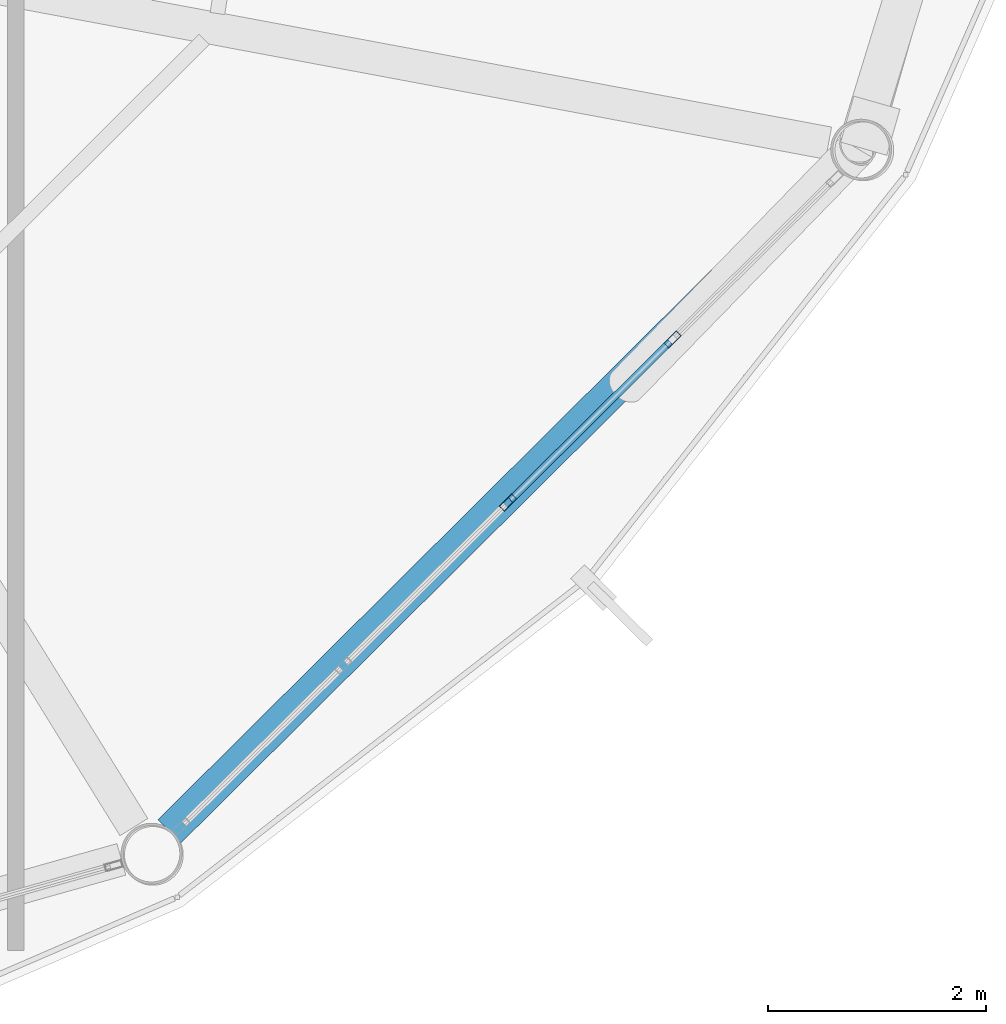
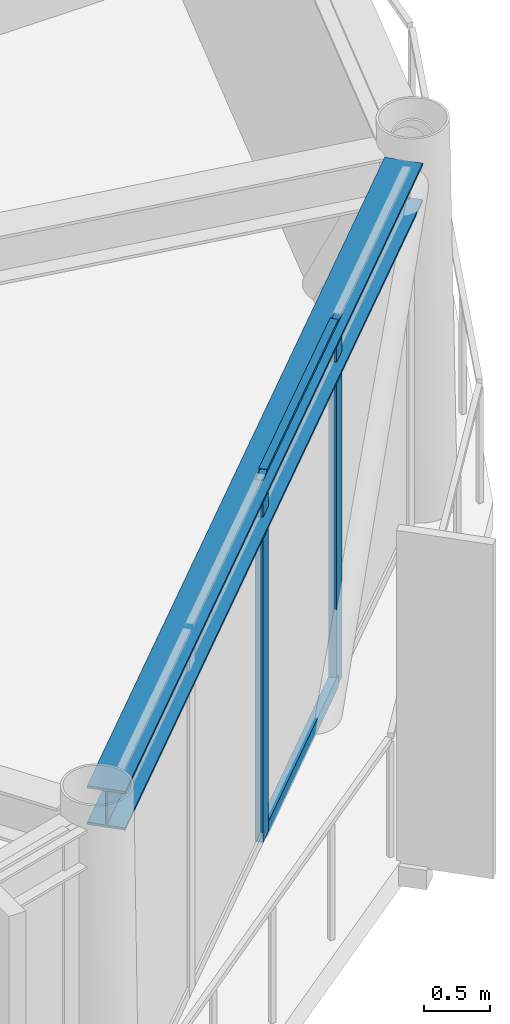
# One storey, part 8 of 25: 4 members, 1 beam, 1 element without a shape of its own.
"""IFC4 building model written with IfcOpenShell, lengths in metres."""

from ifc_helpers import new_model, si_unit, direction, frame, origin, origin_2d, place, context, subcontext, project, spatial, hollow_rectangle, i_section, extrude, material, layer, layer_set, material_profile, profile_set, type_object, element, aggregate, save


model = new_model("IFC4")

# Units and contexts
model_context = context("Model", 3, precision=1e-05, world=origin(), true_north=direction((0.0, 1.0)))
body_context = subcontext(model_context, "Body", "Model", "MODEL_VIEW")
ifc_project = project(units=[si_unit("LENGTHUNIT", "METRE"), si_unit("AREAUNIT", "SQUARE_METRE"), si_unit("VOLUMEUNIT", "CUBIC_METRE"), si_unit("PLANEANGLEUNIT", "RADIAN"), si_unit("MASSUNIT", "GRAM", prefix="KILO")], contexts=[model_context])

# Site, building, storey
site_placement = place(None, origin())
site = spatial("IfcSite", under=ifc_project, at=site_placement, CompositionType="ELEMENT")
building_placement = place(site_placement, origin())
building = spatial("IfcBuilding", under=site, at=building_placement, Name="Varnakorn Sky Granary", CompositionType="ELEMENT")
storey_placement = place(building_placement, frame((0.0, 0.0, 277.800048828125)))
storey = spatial("IfcBuildingStorey", under=building, at=storey_placement, Name="L71", CompositionType="ELEMENT", Elevation=277.800048828125)

# Beam
ifc_material_1 = material(Name="Steel S355JR", Category="steel")
ifc_material_profile_1 = material_profile(ifc_material_1, i_section(OverallWidth=0.300048828125, OverallDepth=0.360107421875, WebThickness=0.012451171875, FlangeThickness=0.0224609375, at=origin_2d()), Name="HE 360 B")
ifc_profile_set_1 = profile_set([ifc_material_profile_1], Name="Steel S355JR")
beam_type = type_object("IfcBeamType", Name="BM-SPD-Z5", PredefinedType="SPANDREL", material=ifc_profile_set_1)
beam_placement = place(storey_placement, frame((13.91259765625, -15.084228515625, 3.179931640625), z_axis=(0.70945121475, 0.704754548683, 0.0), x_axis=(-0.704754548683, 0.70945121475, 0.0)))
element("IfcBeam", 1, at=beam_placement, inside=storey, type_object=beam_type, Name="Perimeter Spandrel Ring Beam RB11 L71", PredefinedType="SPANDREL", context=body_context, shape_type="SweptSolid", body=[
    extrude(i_section(OverallWidth=0.300048828125, OverallDepth=0.360107421875, WebThickness=0.012451171875, FlangeThickness=0.0224609375, at=origin_2d()), origin(), (0.0, 0.0, 1.0), 8.62890625),
])

# Curtain wall, members
ifc_material_2 = material(Name="Anodised Bronze Aluminium Alloy 6063-T6", Category="aluminium")
ifc_layer = layer(ifc_material_2, 0.159912109375, Name="Anodised Bronze Aluminium Alloy 6063-T6")
ifc_layer_set = layer_set([ifc_layer], Name="Anodised Bronze Aluminium Alloy 6063-T6")
curtain_wall_type = type_object("IfcCurtainWallType", Name="CW-OFF-1", PredefinedType="USERDEFINED", material=ifc_layer_set)
curtain_wall_placement = place(storey_placement, origin())
curtain_wall = element("IfcCurtainWall", 2, at=curtain_wall_placement, inside=storey, type_object=curtain_wall_type, Name="Unitised Curtain Wall CW6 CW-L71-B11", ObjectType="CURTAIN WALL", PredefinedType="USERDEFINED")
ifc_material_profile_2 = material_profile(ifc_material_2, hollow_rectangle(XDim=0.06494140625, YDim=0.159912109375, WallThickness=0.00341796875, at=origin_2d()), Name="ALU MULL 65x160")
ifc_profile_set_2 = profile_set([ifc_material_profile_2], Name="Anodised Bronze Aluminium Alloy 6063-T6")
member_type_1 = type_object("IfcMemberType", Name="CW-OFF-1-MULL", PredefinedType="MULLION", material=ifc_profile_set_2)
member_1_placement = place(storey_placement, frame((18.52978515625, -10.569580078125, 0.0), z_axis=(0.0, 0.0, 1.0), x_axis=(0.704102293926, -0.71009855632, 0.0)))
member_1 = element("IfcMember", 3, at=member_1_placement, type_object=member_type_1, Name="CW6 mullion 2", PredefinedType="MULLION", context=body_context, shape_type="SweptSolid", body=[
    extrude(hollow_rectangle(XDim=0.06494140625, YDim=0.159912109375, WallThickness=0.00341796875, at=origin_2d()), origin(), (0.0, 0.0, 1.0), 3.35986328125),
])
member_2_placement = place(storey_placement, frame((17.02001953125, -12.06689453125, 0.0), z_axis=(0.0, 0.0, 1.0), x_axis=(0.704102293926, -0.71009855632, 0.0)))
member_2 = element("IfcMember", 4, at=member_2_placement, type_object=member_type_1, Name="CW6 mullion 3", PredefinedType="MULLION", context=body_context, shape_type="SweptSolid", body=[
    extrude(hollow_rectangle(XDim=0.06494140625, YDim=0.159912109375, WallThickness=0.00341796875, at=origin_2d()), origin(), (0.0, 0.0, 1.0), 3.35986328125),
])
ifc_material_profile_3 = material_profile(ifc_material_2, hollow_rectangle(XDim=0.06494140625, YDim=0.1201171875, WallThickness=0.00341796875, at=origin_2d()), Name="ALU TRAN 65x120")
ifc_profile_set_3 = profile_set([ifc_material_profile_3], Name="Anodised Bronze Aluminium Alloy 6063-T6")
member_type_2 = type_object("IfcMemberType", Name="CW-OFF-1-TRAN", PredefinedType="USERDEFINED", material=ifc_profile_set_3)
member_3_placement = place(storey_placement, frame((18.5068359375, -10.592529296875, 0.032470703125), z_axis=(-0.710120356821, -0.704080307088, 0.0), x_axis=(0.704080307088, -0.710120356821, 0.0)))
member_3 = element("IfcMember", 5, at=member_3_placement, type_object=member_type_2, Name="CW6 transom 2.1", ObjectType="TRANSOM", PredefinedType="USERDEFINED", context=body_context, shape_type="SweptSolid", body=[
    extrude(hollow_rectangle(XDim=0.06494140625, YDim=0.1201171875, WallThickness=0.00341796875, at=origin_2d()), origin(), (0.0, 0.0, 1.0), 2.0615234375),
])
member_4_placement = place(storey_placement, frame((18.5068359375, -10.592529296875, 3.327392578125), z_axis=(-0.710120356821, -0.704080307088, 0.0), x_axis=(0.704080307088, -0.710120356821, 0.0)))
member_4 = element("IfcMember", 6, at=member_4_placement, type_object=member_type_2, Name="CW6 transom 2.2", ObjectType="TRANSOM", PredefinedType="USERDEFINED", context=body_context, shape_type="SweptSolid", body=[
    extrude(hollow_rectangle(XDim=0.06494140625, YDim=0.1201171875, WallThickness=0.00341796875, at=origin_2d()), origin(), (0.0, 0.0, 1.0), 2.0615234375),
])
aggregate(curtain_wall, [member_1, member_2, member_3, member_4])

save(model, "model.ifc")
